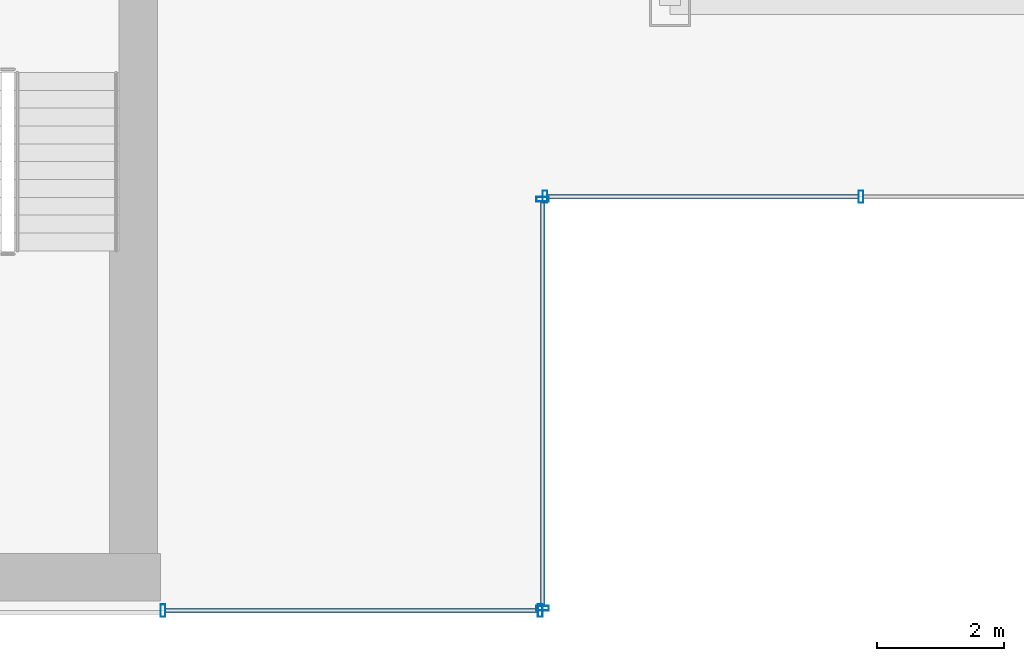
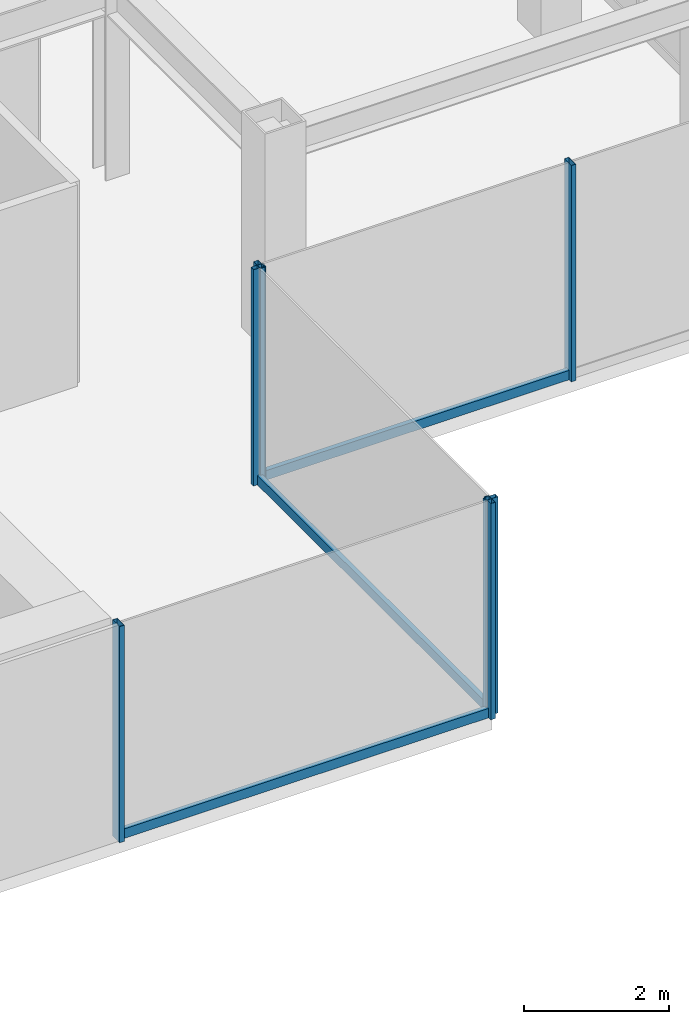
# One storey, part 9 of 25: 9 members, 3 elements without a shape of their own.
"""IFC4 building model written with IfcOpenShell, lengths in metres."""

from ifc_helpers import new_model, si_unit, derived_unit, direction, frame, origin, origin_2d, place, context, subcontext, project, spatial, hollow_rectangle, extrude, source, transform, mapped, material, material_profile, profile_set, type_object, element, aggregate, save


model = new_model("IFC4")

# Units and contexts
model_context = context("Model", 3, precision=1e-05, world=origin(), true_north=direction((0.0, 1.0)))
body_context = subcontext(model_context, "Body", "Model", "MODEL_VIEW")
ifc_project = project(units=[si_unit("LENGTHUNIT", "METRE"), si_unit("AREAUNIT", "SQUARE_METRE"), si_unit("VOLUMEUNIT", "CUBIC_METRE"), si_unit("PLANEANGLEUNIT", "RADIAN"), si_unit("MASSUNIT", "GRAM", prefix="KILO"), derived_unit("THERMALTRANSMITTANCEUNIT", [(si_unit("POWERUNIT", "WATT"), 1), (si_unit("LENGTHUNIT", "METRE"), -2), (si_unit("THERMODYNAMICTEMPERATUREUNIT", "KELVIN"), -1)])], contexts=[model_context])

# Site, building, storey
site_placement = place(None, origin())
site = spatial("IfcSite", under=ifc_project, at=site_placement, CompositionType="ELEMENT")
building_placement = place(site_placement, origin())
building = spatial("IfcBuilding", under=site, at=building_placement, Name="Skarnbrae Concourse Arena and Tower", CompositionType="ELEMENT")
storey_placement = place(building_placement, frame((0.0, 0.0, 158.85009765625)))
storey = spatial("IfcBuildingStorey", under=building, at=storey_placement, Name="L40", CompositionType="ELEMENT", Elevation=158.85009765625)

# Curtain wall, member
ifc_material = material(Name="Bronze anodised aluminium 6063-T6", Category="aluminium")
curtain_wall_type = type_object("IfcCurtainWallType", Name="CW-SYS-04-MIDZONE", PredefinedType="USERDEFINED", material=ifc_material)
curtain_wall_1_placement = place(storey_placement, origin())
curtain_wall_1 = element("IfcCurtainWall", 1, at=curtain_wall_1_placement, inside=storey, type_object=curtain_wall_type, Name="L40 Unitised curtain wall CW-L40-E03", ObjectType="UNITISED CURTAIN WALL", PredefinedType="USERDEFINED")
ifc_material_profile_1 = material_profile(ifc_material, hollow_rectangle(XDim=0.074951171875, YDim=0.159912109375, WallThickness=0.00439453125, at=origin_2d()), Name="ALU-TRAN-75X160")
ifc_profile_set_1 = profile_set([ifc_material_profile_1], Name="Bronze anodised aluminium 6063-T6")
member_type_1 = type_object("IfcMemberType", Name="CWT-CW-04", PredefinedType="USERDEFINED", material=ifc_profile_set_1)
shared_shape_1 = source(origin(), body_context, "Body", "SweptSolid", [
    extrude(hollow_rectangle(XDim=0.074951171875, YDim=0.159912109375, WallThickness=0.00439453125, at=origin_2d()), origin(), (0.0, 0.0, 1.0), 4.887451171875),
])
member_1_placement = place(storey_placement, frame((40.074951171875, 6.5, 0.079833984375), z_axis=(1.0, 0.0, 0.0), x_axis=(0.0, 1.0, 0.0)))
member_1 = element("IfcMember", 2, at=member_1_placement, type_object=member_type_1, Name="CW-L40-E03 Transom 1", ObjectType="TRANSOM", PredefinedType="USERDEFINED", context=body_context, shape_type="MappedRepresentation", body=[
    mapped(shared_shape_1, transform((0.0, 0.0, 0.0))),
])

# Curtain wall, members
curtain_wall_2_placement = place(storey_placement, origin())
curtain_wall_2 = element("IfcCurtainWall", 3, at=curtain_wall_2_placement, inside=storey, type_object=curtain_wall_type, Name="L40 Unitised curtain wall CW-L40-SE-SPINE", ObjectType="UNITISED CURTAIN WALL", PredefinedType="USERDEFINED")
ifc_material_profile_2 = material_profile(ifc_material, hollow_rectangle(XDim=0.074951171875, YDim=0.195068359375, WallThickness=0.00439453125, at=origin_2d()), Name="ALU-MULL-75X195")
ifc_profile_set_2 = profile_set([ifc_material_profile_2], Name="Bronze anodised aluminium 6063-T6")
member_type_2 = type_object("IfcMemberType", Name="CWM-CW-04", PredefinedType="MULLION", material=ifc_profile_set_2)
shared_shape_2 = source(origin(), body_context, "Body", "SweptSolid", [
    extrude(hollow_rectangle(XDim=0.074951171875, YDim=0.195068359375, WallThickness=0.00439453125, at=origin_2d()), origin(), (0.0, 0.0, 1.0), 3.64990234375),
])
member_2_placement = place(storey_placement, frame((34.03759765625, 0.0, 0.0), z_axis=(0.0, 0.0, 1.0), x_axis=(1.0, 0.0, 0.0)))
member_2 = element("IfcMember", 4, at=member_2_placement, type_object=member_type_2, Name="CW-L40-SE-SPINE Mullion 1", PredefinedType="MULLION", context=body_context, shape_type="MappedRepresentation", body=[
    mapped(shared_shape_2, transform((0.0, 0.0, 0.0))),
])
member_3_placement = place(storey_placement, frame((39.96240234375, 0.0, 0.0), z_axis=(0.0, 0.0, 1.0), x_axis=(1.0, 0.0, 0.0)))
member_3 = element("IfcMember", 5, at=member_3_placement, type_object=member_type_2, Name="CW-L40-SE-SPINE Mullion 2", PredefinedType="MULLION", context=body_context, shape_type="MappedRepresentation", body=[
    mapped(shared_shape_2, transform((0.0, 0.0, 0.0))),
])

curtain_wall_3_placement = place(storey_placement, origin())
curtain_wall_3 = element("IfcCurtainWall", 6, at=curtain_wall_3_placement, inside=storey, type_object=curtain_wall_type, Name="L40 Unitised curtain wall CW-L40-E02", ObjectType="UNITISED CURTAIN WALL", PredefinedType="USERDEFINED")
member_4_placement = place(storey_placement, frame((40.0, 0.03759765625, 0.0), z_axis=(0.0, 0.0, 1.0), x_axis=(0.0, 1.0, 0.0)))
member_4 = element("IfcMember", 7, at=member_4_placement, type_object=member_type_2, Name="CW-L40-E02 Mullion 1", PredefinedType="MULLION", context=body_context, shape_type="MappedRepresentation", body=[
    mapped(shared_shape_2, transform((0.0, 0.0, 0.0))),
])
member_5_placement = place(storey_placement, frame((40.0, 6.46240234375, 0.0), z_axis=(0.0, 0.0, 1.0), x_axis=(0.0, 1.0, 0.0)))
member_5 = element("IfcMember", 8, at=member_5_placement, type_object=member_type_2, Name="CW-L40-E02 Mullion 2", PredefinedType="MULLION", context=body_context, shape_type="MappedRepresentation", body=[
    mapped(shared_shape_2, transform((0.0, 0.0, 0.0))),
])

# Member
member_6_placement = place(storey_placement, frame((40.03759765625, 6.5, 0.0), z_axis=(0.0, 0.0, 1.0), x_axis=(1.0, 0.0, 0.0)))
member_6 = element("IfcMember", 9, at=member_6_placement, type_object=member_type_2, Name="CW-L40-E03 Mullion 1", PredefinedType="MULLION", context=body_context, shape_type="MappedRepresentation", body=[
    mapped(shared_shape_2, transform((0.0, 0.0, 0.0))),
])

member_7_placement = place(storey_placement, frame((45.0, 6.5, 0.0), z_axis=(0.0, 0.0, 1.0), x_axis=(1.0, 0.0, 0.0)))
member_7 = element("IfcMember", 10, at=member_7_placement, type_object=member_type_2, Name="CW-L40-E03 Mullion 2", PredefinedType="MULLION", context=body_context, shape_type="MappedRepresentation", body=[
    mapped(shared_shape_2, transform((0.0, 0.0, 0.0))),
])

aggregate(curtain_wall_1, [member_6, member_7, member_1])

shared_shape_3 = source(origin(), body_context, "Body", "SweptSolid", [
    extrude(hollow_rectangle(XDim=0.074951171875, YDim=0.159912109375, WallThickness=0.00439453125, at=origin_2d()), origin(), (0.0, 0.0, 1.0), 5.85009765625),
])
member_8_placement = place(storey_placement, frame((34.074951171875, 0.0, 0.079833984375), z_axis=(1.0, 0.0, 0.0), x_axis=(0.0, 1.0, 0.0)))
member_8 = element("IfcMember", 11, at=member_8_placement, type_object=member_type_1, Name="CW-L40-SE-SPINE Transom 1", ObjectType="TRANSOM", PredefinedType="USERDEFINED", context=body_context, shape_type="MappedRepresentation", body=[
    mapped(shared_shape_3, transform((0.0, 0.0, 0.0))),
])

aggregate(curtain_wall_2, [member_2, member_3, member_8])

shared_shape_4 = source(origin(), body_context, "Body", "SweptSolid", [
    extrude(hollow_rectangle(XDim=0.074951171875, YDim=0.159912109375, WallThickness=0.00439453125, at=origin_2d()), origin(), (0.0, 0.0, 1.0), 6.35009765625),
])
member_9_placement = place(storey_placement, frame((40.0, 0.074951171875, 0.079833984375), z_axis=(0.0, 1.0, 0.0), x_axis=(-1.0, 0.0, 0.0)))
member_9 = element("IfcMember", 12, at=member_9_placement, type_object=member_type_1, Name="CW-L40-E02 Transom 1", ObjectType="TRANSOM", PredefinedType="USERDEFINED", context=body_context, shape_type="MappedRepresentation", body=[
    mapped(shared_shape_4, transform((0.0, 0.0, 0.0))),
])

aggregate(curtain_wall_3, [member_4, member_5, member_9])

save(model, "model.ifc")
